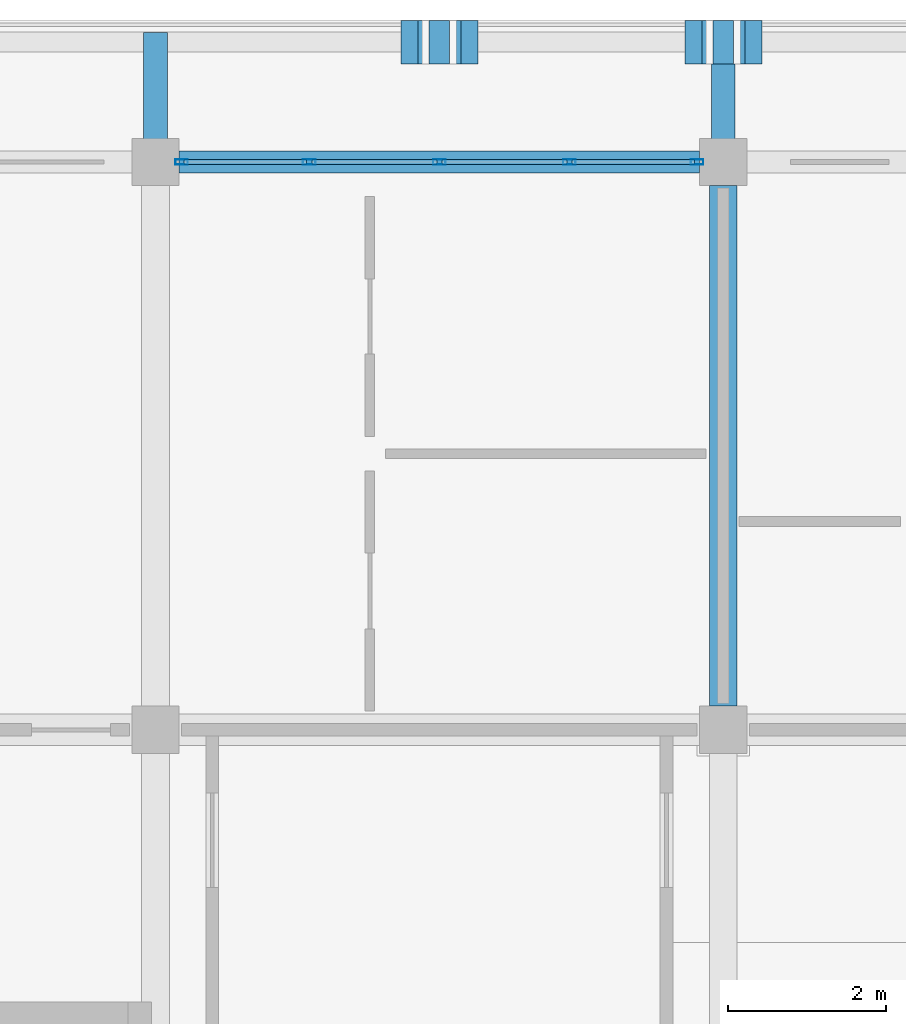
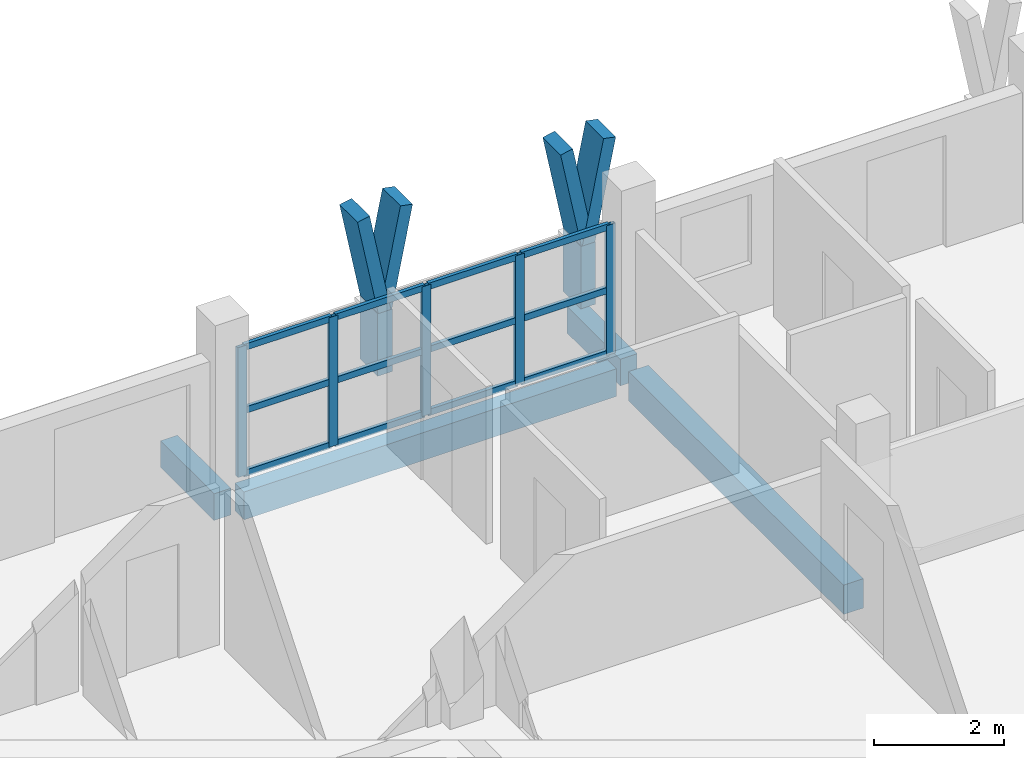
# One storey, part 33 of 78: 23 members, 4 beams, 1 element without a shape of its own.
"""IFC4 building model written with IfcOpenShell, lengths in metres."""

from ifc_helpers import new_model, si_unit, direction, frame, origin, origin_2d, place, context, subcontext, project, spatial, rectangle, hollow_rectangle, extrude, material, material_profile, profile_set, type_object, element, aggregate, save


model = new_model("IFC4")

# Units and contexts
model_context = context("Model", 3, precision=1e-05, world=origin(), true_north=direction((0.0, 1.0)))
body_context = subcontext(model_context, "Body", "Model", "MODEL_VIEW")
ifc_project = project(units=[si_unit("LENGTHUNIT", "METRE"), si_unit("AREAUNIT", "SQUARE_METRE"), si_unit("VOLUMEUNIT", "CUBIC_METRE"), si_unit("PLANEANGLEUNIT", "RADIAN"), si_unit("MASSUNIT", "GRAM", prefix="KILO")], contexts=[model_context])

# Site, building, storey
site_placement = place(None, origin())
site = spatial("IfcSite", under=ifc_project, at=site_placement, CompositionType="ELEMENT")
building_placement = place(site_placement, origin())
building = spatial("IfcBuilding", under=site, at=building_placement, Name="Suanplinth Sawtooth Commons", CompositionType="ELEMENT")
storey_placement = place(building_placement, frame((0.0, 0.0, 15.39990234375)))
storey = spatial("IfcBuildingStorey", under=building, at=storey_placement, Name="L04", CompositionType="ELEMENT", Elevation=15.39990234375)

# Beams
ifc_material_1 = material(Name="Precast concrete C40/50", Category="concrete")
ifc_material_profile_1 = material_profile(ifc_material_1, rectangle(XDim=0.35009765625, YDim=0.550048828125, at=origin_2d()), Name="PC-BM 350x550")
ifc_profile_set_1 = profile_set([ifc_material_profile_1], Name="Precast concrete C40/50")
beam_type_1 = type_object("IfcBeamType", Name="B-06", PredefinedType="BEAM", material=ifc_profile_set_1)
beam_1_placement = place(storey_placement, frame((172.800048828125, 115.5, -0.494873046875), z_axis=(0.0, 1.0, 0.0), x_axis=(-1.0, 0.0, 0.0)))
element("IfcBeam", 1, at=beam_1_placement, inside=storey, type_object=beam_type_1, Name="BMY-L04-B-24-16", PredefinedType="BEAM", context=body_context, shape_type="SweptSolid", body=[
    extrude(rectangle(XDim=0.35009765625, YDim=0.550048828125, at=origin_2d()), origin(), (0.0, 0.0, 1.0), 6.60009765625),
])
ifc_material_profile_2 = material_profile(ifc_material_1, rectangle(XDim=0.300048828125, YDim=0.5, at=origin_2d()), Name="PC-BM 300x500")
ifc_profile_set_2 = profile_set([ifc_material_profile_2], Name="Precast concrete C40/50")
beam_type_2 = type_object("IfcBeamType", Name="B-07", PredefinedType="BEAM", material=ifc_profile_set_2)
for number, where, z_axis, x_axis, name in (
    (2, (165.60009765625, 122.39990234375, -0.429931640625), (0.0, 1.0, 0.0), (-1.0, 0.0, 0.0), "Balcony Outrigger L04-B-N-23"),
    (3, (172.800048828125, 122.39990234375, -0.429931640625), (0.0, 1.0, 0.0), (-1.0, 0.0, 0.0), "Balcony Outrigger L04-B-N-24"),
):
    element("IfcBeam", number, at=place(storey_placement, frame(where, z_axis=z_axis, x_axis=x_axis)), inside=storey, type_object=beam_type_2, Name=name, PredefinedType="BEAM", context=body_context, shape_type="SweptSolid", body=[
        extrude(rectangle(XDim=0.300048828125, YDim=0.5, at=origin_2d()), origin(), (0.0, 0.0, 1.0), 1.64013671875),
    ])
ifc_material_profile_3 = material_profile(ifc_material_1, rectangle(XDim=0.280029296875, YDim=0.52001953125, at=origin_2d()), Name="PC-SP 280x520")
ifc_profile_set_3 = profile_set([ifc_material_profile_3], Name="Precast concrete C40/50")
beam_type_3 = type_object("IfcBeamType", Name="B-08", PredefinedType="SPANDREL", material=ifc_profile_set_3)
beam_2_placement = place(storey_placement, frame((165.89990234375, 122.39990234375, -0.47998046875), z_axis=(1.0, 0.0, 0.0), x_axis=(0.0, 1.0, 0.0)))
element("IfcBeam", 4, at=beam_2_placement, inside=storey, type_object=beam_type_3, Name="BMX-L04-B-23-17", PredefinedType="SPANDREL", context=body_context, shape_type="SweptSolid", body=[
    extrude(rectangle(XDim=0.280029296875, YDim=0.52001953125, at=origin_2d()), origin(), (0.0, 0.0, 1.0), 6.60009765625),
])

# Members
ifc_material_2 = material(Name="Pigmented precast concrete C40/50", Category="concrete")
ifc_material_profile_4 = material_profile(ifc_material_2, rectangle(XDim=0.260009765625, YDim=0.550048828125, at=origin_2d()), Name="PC-FIN 260x550")
ifc_profile_set_4 = profile_set([ifc_material_profile_4], Name="Pigmented precast concrete C40/50")
member_type_1 = type_object("IfcMemberType", Name="M-09", PredefinedType="USERDEFINED", material=ifc_profile_set_4)
for number, where, z_axis, x_axis, name in (
    (5, (169.199951171875, 123.919921875, 0.0), (0.0, 0.0, 1.0), (1.0, 0.0, 0.0), "Y-Blade Stem L04-B-N-06"),
    (6, (172.800048828125, 123.919921875, 0.0), (0.0, 0.0, 1.0), (1.0, 0.0, 0.0), "Y-Blade Stem L04-B-N-07"),
):
    element("IfcMember", number, at=place(storey_placement, frame(where, z_axis=z_axis, x_axis=x_axis)), inside=storey, type_object=member_type_1, Name=name, ObjectType="SHADING FIN", PredefinedType="USERDEFINED", context=body_context, shape_type="SweptSolid", body=[
        extrude(rectangle(XDim=0.260009765625, YDim=0.550048828125, at=origin_2d()), origin(), (0.0, 0.0, 1.0), 1.170166015625),
    ])
ifc_material_profile_5 = material_profile(ifc_material_2, rectangle(XDim=0.219970703125, YDim=0.550048828125, at=origin_2d()), Name="PC-FIN 220x550")
ifc_profile_set_5 = profile_set([ifc_material_profile_5], Name="Pigmented precast concrete C40/50")
member_type_2 = type_object("IfcMemberType", Name="M-10", PredefinedType="USERDEFINED", material=ifc_profile_set_5)
member_1_placement = place(storey_placement, frame((169.199951171875, 123.919921875, 1.130126953125), z_axis=(-0.196309979414, 0.0, 0.980541886909), x_axis=(0.980541886909, 0.0, 0.196309979414)))
element("IfcMember", 7, at=member_1_placement, inside=storey, type_object=member_type_2, Name="Y-Blade Arm L L04-B-N-06", ObjectType="SHADING FIN", PredefinedType="USERDEFINED", context=body_context, shape_type="SweptSolid", body=[
    extrude(rectangle(XDim=0.219970703125, YDim=0.550048828125, at=origin_2d()), origin(), (0.0, 0.0, 1.0), 1.9375),
])
for number, where, z_axis, x_axis, name in (
    (8, (169.199951171875, 123.919921875, 1.130126953125), (0.196431120402, 0.0, 0.980517626021), (-0.980517626021, 0.0, 0.196431120402), "Y-Blade Arm R L04-B-N-06"),
    (9, (172.800048828125, 123.919921875, 1.130126953125), (-0.196431120402, 0.0, 0.980517626021), (0.980517626021, 0.0, 0.196431120402), "Y-Blade Arm L L04-B-N-07"),
):
    element("IfcMember", number, at=place(storey_placement, frame(where, z_axis=z_axis, x_axis=x_axis)), inside=storey, type_object=member_type_2, Name=name, ObjectType="SHADING FIN", PredefinedType="USERDEFINED", context=body_context, shape_type="SweptSolid", body=[
        extrude(rectangle(XDim=0.219970703125, YDim=0.550048828125, at=origin_2d()), origin(), (0.0, 0.0, 1.0), 1.937744140625),
    ])
member_2_placement = place(storey_placement, frame((172.800048828125, 123.919921875, 1.130126953125), z_axis=(0.196309979414, 0.0, 0.980541886909), x_axis=(-0.980541886909, 0.0, 0.196309979414)))
element("IfcMember", 10, at=member_2_placement, inside=storey, type_object=member_type_2, Name="Y-Blade Arm R L04-B-N-07", ObjectType="SHADING FIN", PredefinedType="USERDEFINED", context=body_context, shape_type="SweptSolid", body=[
    extrude(rectangle(XDim=0.219970703125, YDim=0.550048828125, at=origin_2d()), origin(), (0.0, 0.0, 1.0), 1.9375),
])

# Curtain wall, members
ifc_material_3 = material(Name="Anodized aluminium and low-E glazing", Category="aluminium")
curtain_wall_type = type_object("IfcCurtainWallType", Name="CW-06", PredefinedType="USERDEFINED", material=ifc_material_3)
curtain_wall_placement = place(storey_placement, origin())
curtain_wall = element("IfcCurtainWall", 11, at=curtain_wall_placement, inside=storey, type_object=curtain_wall_type, Name="Curtain Wall CW-L04-B-LOUNGE-23", ObjectType="CURTAIN WALL", PredefinedType="USERDEFINED")
ifc_material_4 = material(Name="Anodized aluminium 6063-T6", Category="aluminium")
ifc_material_profile_6 = material_profile(ifc_material_4, hollow_rectangle(XDim=0.06494140625, YDim=0.159912109375, WallThickness=0.00390625, at=origin_2d()), Name="ALU-MUL 65x160")
ifc_profile_set_6 = profile_set([ifc_material_profile_6], Name="Anodized aluminium 6063-T6")
member_type_3 = type_object("IfcMemberType", Name="M-13", PredefinedType="MULLION", material=ifc_profile_set_6)
member_3_placement = place(storey_placement, frame((165.9326171875, 122.39990234375, 0.0), z_axis=(0.0, 0.0, 1.0), x_axis=(0.0, 1.0, 0.0)))
member_3 = element("IfcMember", 12, at=member_3_placement, type_object=member_type_3, Name="CW-06 mullion 1", PredefinedType="MULLION", context=body_context, shape_type="SweptSolid", body=[
    extrude(hollow_rectangle(XDim=0.06494140625, YDim=0.159912109375, WallThickness=0.00390625, at=origin_2d()), origin(), (0.0, 0.0, 1.0), 2.43017578125),
])
member_4_placement = place(storey_placement, frame((167.550048828125, 122.39990234375, 0.0), z_axis=(0.0, 0.0, 1.0), x_axis=(0.0, 1.0, 0.0)))
member_4 = element("IfcMember", 13, at=member_4_placement, type_object=member_type_3, Name="CW-06 mullion 2", PredefinedType="MULLION", context=body_context, shape_type="SweptSolid", body=[
    extrude(hollow_rectangle(XDim=0.06494140625, YDim=0.159912109375, WallThickness=0.00390625, at=origin_2d()), origin(), (0.0, 0.0, 1.0), 2.43017578125),
])
member_5_placement = place(storey_placement, frame((169.199951171875, 122.39990234375, 0.0), z_axis=(0.0, 0.0, 1.0), x_axis=(0.0, 1.0, 0.0)))
member_5 = element("IfcMember", 14, at=member_5_placement, type_object=member_type_3, Name="CW-06 mullion 3", PredefinedType="MULLION", context=body_context, shape_type="SweptSolid", body=[
    extrude(hollow_rectangle(XDim=0.06494140625, YDim=0.159912109375, WallThickness=0.00390625, at=origin_2d()), origin(), (0.0, 0.0, 1.0), 2.43017578125),
])
member_6_placement = place(storey_placement, frame((170.85009765625, 122.39990234375, 0.0), z_axis=(0.0, 0.0, 1.0), x_axis=(0.0, 1.0, 0.0)))
member_6 = element("IfcMember", 15, at=member_6_placement, type_object=member_type_3, Name="CW-06 mullion 4", PredefinedType="MULLION", context=body_context, shape_type="SweptSolid", body=[
    extrude(hollow_rectangle(XDim=0.06494140625, YDim=0.159912109375, WallThickness=0.00390625, at=origin_2d()), origin(), (0.0, 0.0, 1.0), 2.43017578125),
])
member_7_placement = place(storey_placement, frame((172.467529296875, 122.39990234375, 0.0), z_axis=(0.0, 0.0, 1.0), x_axis=(0.0, 1.0, 0.0)))
member_7 = element("IfcMember", 16, at=member_7_placement, type_object=member_type_3, Name="CW-06 mullion 5", PredefinedType="MULLION", context=body_context, shape_type="SweptSolid", body=[
    extrude(hollow_rectangle(XDim=0.06494140625, YDim=0.159912109375, WallThickness=0.00390625, at=origin_2d()), origin(), (0.0, 0.0, 1.0), 2.43017578125),
])
ifc_material_profile_7 = material_profile(ifc_material_4, hollow_rectangle(XDim=0.06494140625, YDim=0.1201171875, WallThickness=0.00390625, at=origin_2d()), Name="ALU-TRN 65x120")
ifc_profile_set_7 = profile_set([ifc_material_profile_7], Name="Anodized aluminium 6063-T6")
member_type_4 = type_object("IfcMemberType", Name="M-15", PredefinedType="USERDEFINED", material=ifc_profile_set_7)
member_8_placement = place(storey_placement, frame((165.965087890625, 122.39990234375, 0.03271484375), z_axis=(1.0, 0.0, 0.0), x_axis=(0.0, 1.0, 0.0)))
member_8 = element("IfcMember", 17, at=member_8_placement, type_object=member_type_4, Name="CW-06 transom 1.1", ObjectType="TRANSOM", PredefinedType="USERDEFINED", context=body_context, shape_type="SweptSolid", body=[
    extrude(hollow_rectangle(XDim=0.06494140625, YDim=0.1201171875, WallThickness=0.00390625, at=origin_2d()), origin(), (0.0, 0.0, 1.0), 1.552490234375),
])
member_9_placement = place(storey_placement, frame((165.965087890625, 122.39990234375, 1.215087890625), z_axis=(1.0, 0.0, 0.0), x_axis=(0.0, 1.0, 0.0)))
member_9 = element("IfcMember", 18, at=member_9_placement, type_object=member_type_4, Name="CW-06 transom 1.2", ObjectType="TRANSOM", PredefinedType="USERDEFINED", context=body_context, shape_type="SweptSolid", body=[
    extrude(hollow_rectangle(XDim=0.06494140625, YDim=0.1201171875, WallThickness=0.00390625, at=origin_2d()), origin(), (0.0, 0.0, 1.0), 1.552490234375),
])
member_10_placement = place(storey_placement, frame((165.965087890625, 122.39990234375, 2.397705078125), z_axis=(1.0, 0.0, 0.0), x_axis=(0.0, 1.0, 0.0)))
member_10 = element("IfcMember", 19, at=member_10_placement, type_object=member_type_4, Name="CW-06 transom 1.3", ObjectType="TRANSOM", PredefinedType="USERDEFINED", context=body_context, shape_type="SweptSolid", body=[
    extrude(hollow_rectangle(XDim=0.06494140625, YDim=0.1201171875, WallThickness=0.00390625, at=origin_2d()), origin(), (0.0, 0.0, 1.0), 1.552490234375),
])
member_11_placement = place(storey_placement, frame((167.58251953125, 122.39990234375, 0.03271484375), z_axis=(1.0, 0.0, 0.0), x_axis=(0.0, 1.0, 0.0)))
member_11 = element("IfcMember", 20, at=member_11_placement, type_object=member_type_4, Name="CW-06 transom 2.1", ObjectType="TRANSOM", PredefinedType="USERDEFINED", context=body_context, shape_type="SweptSolid", body=[
    extrude(hollow_rectangle(XDim=0.06494140625, YDim=0.1201171875, WallThickness=0.00390625, at=origin_2d()), origin(), (0.0, 0.0, 1.0), 1.5849609375),
])
member_12_placement = place(storey_placement, frame((167.58251953125, 122.39990234375, 1.215087890625), z_axis=(1.0, 0.0, 0.0), x_axis=(0.0, 1.0, 0.0)))
member_12 = element("IfcMember", 21, at=member_12_placement, type_object=member_type_4, Name="CW-06 transom 2.2", ObjectType="TRANSOM", PredefinedType="USERDEFINED", context=body_context, shape_type="SweptSolid", body=[
    extrude(hollow_rectangle(XDim=0.06494140625, YDim=0.1201171875, WallThickness=0.00390625, at=origin_2d()), origin(), (0.0, 0.0, 1.0), 1.5849609375),
])
member_13_placement = place(storey_placement, frame((167.58251953125, 122.39990234375, 2.397705078125), z_axis=(1.0, 0.0, 0.0), x_axis=(0.0, 1.0, 0.0)))
member_13 = element("IfcMember", 22, at=member_13_placement, type_object=member_type_4, Name="CW-06 transom 2.3", ObjectType="TRANSOM", PredefinedType="USERDEFINED", context=body_context, shape_type="SweptSolid", body=[
    extrude(hollow_rectangle(XDim=0.06494140625, YDim=0.1201171875, WallThickness=0.00390625, at=origin_2d()), origin(), (0.0, 0.0, 1.0), 1.5849609375),
])
member_14_placement = place(storey_placement, frame((169.232421875, 122.39990234375, 0.03271484375), z_axis=(1.0, 0.0, 0.0), x_axis=(0.0, 1.0, 0.0)))
member_14 = element("IfcMember", 23, at=member_14_placement, type_object=member_type_4, Name="CW-06 transom 3.1", ObjectType="TRANSOM", PredefinedType="USERDEFINED", context=body_context, shape_type="SweptSolid", body=[
    extrude(hollow_rectangle(XDim=0.06494140625, YDim=0.1201171875, WallThickness=0.00390625, at=origin_2d()), origin(), (0.0, 0.0, 1.0), 1.5849609375),
])
member_15_placement = place(storey_placement, frame((169.232421875, 122.39990234375, 1.215087890625), z_axis=(1.0, 0.0, 0.0), x_axis=(0.0, 1.0, 0.0)))
member_15 = element("IfcMember", 24, at=member_15_placement, type_object=member_type_4, Name="CW-06 transom 3.2", ObjectType="TRANSOM", PredefinedType="USERDEFINED", context=body_context, shape_type="SweptSolid", body=[
    extrude(hollow_rectangle(XDim=0.06494140625, YDim=0.1201171875, WallThickness=0.00390625, at=origin_2d()), origin(), (0.0, 0.0, 1.0), 1.5849609375),
])
member_16_placement = place(storey_placement, frame((169.232421875, 122.39990234375, 2.397705078125), z_axis=(1.0, 0.0, 0.0), x_axis=(0.0, 1.0, 0.0)))
member_16 = element("IfcMember", 25, at=member_16_placement, type_object=member_type_4, Name="CW-06 transom 3.3", ObjectType="TRANSOM", PredefinedType="USERDEFINED", context=body_context, shape_type="SweptSolid", body=[
    extrude(hollow_rectangle(XDim=0.06494140625, YDim=0.1201171875, WallThickness=0.00390625, at=origin_2d()), origin(), (0.0, 0.0, 1.0), 1.5849609375),
])
member_17_placement = place(storey_placement, frame((170.882568359375, 122.39990234375, 0.03271484375), z_axis=(1.0, 0.0, 0.0), x_axis=(0.0, 1.0, 0.0)))
member_17 = element("IfcMember", 26, at=member_17_placement, type_object=member_type_4, Name="CW-06 transom 4.1", ObjectType="TRANSOM", PredefinedType="USERDEFINED", context=body_context, shape_type="SweptSolid", body=[
    extrude(hollow_rectangle(XDim=0.06494140625, YDim=0.1201171875, WallThickness=0.00390625, at=origin_2d()), origin(), (0.0, 0.0, 1.0), 1.552490234375),
])
member_18_placement = place(storey_placement, frame((170.882568359375, 122.39990234375, 1.215087890625), z_axis=(1.0, 0.0, 0.0), x_axis=(0.0, 1.0, 0.0)))
member_18 = element("IfcMember", 27, at=member_18_placement, type_object=member_type_4, Name="CW-06 transom 4.2", ObjectType="TRANSOM", PredefinedType="USERDEFINED", context=body_context, shape_type="SweptSolid", body=[
    extrude(hollow_rectangle(XDim=0.06494140625, YDim=0.1201171875, WallThickness=0.00390625, at=origin_2d()), origin(), (0.0, 0.0, 1.0), 1.552490234375),
])
member_19_placement = place(storey_placement, frame((170.882568359375, 122.39990234375, 2.397705078125), z_axis=(1.0, 0.0, 0.0), x_axis=(0.0, 1.0, 0.0)))
member_19 = element("IfcMember", 28, at=member_19_placement, type_object=member_type_4, Name="CW-06 transom 4.3", ObjectType="TRANSOM", PredefinedType="USERDEFINED", context=body_context, shape_type="SweptSolid", body=[
    extrude(hollow_rectangle(XDim=0.06494140625, YDim=0.1201171875, WallThickness=0.00390625, at=origin_2d()), origin(), (0.0, 0.0, 1.0), 1.552490234375),
])
aggregate(curtain_wall, [member_3, member_4, member_5, member_6, member_7, member_8, member_9, member_10, member_11, member_12, member_13, member_14, member_15, member_16, member_17, member_18, member_19])

save(model, "model.ifc")
